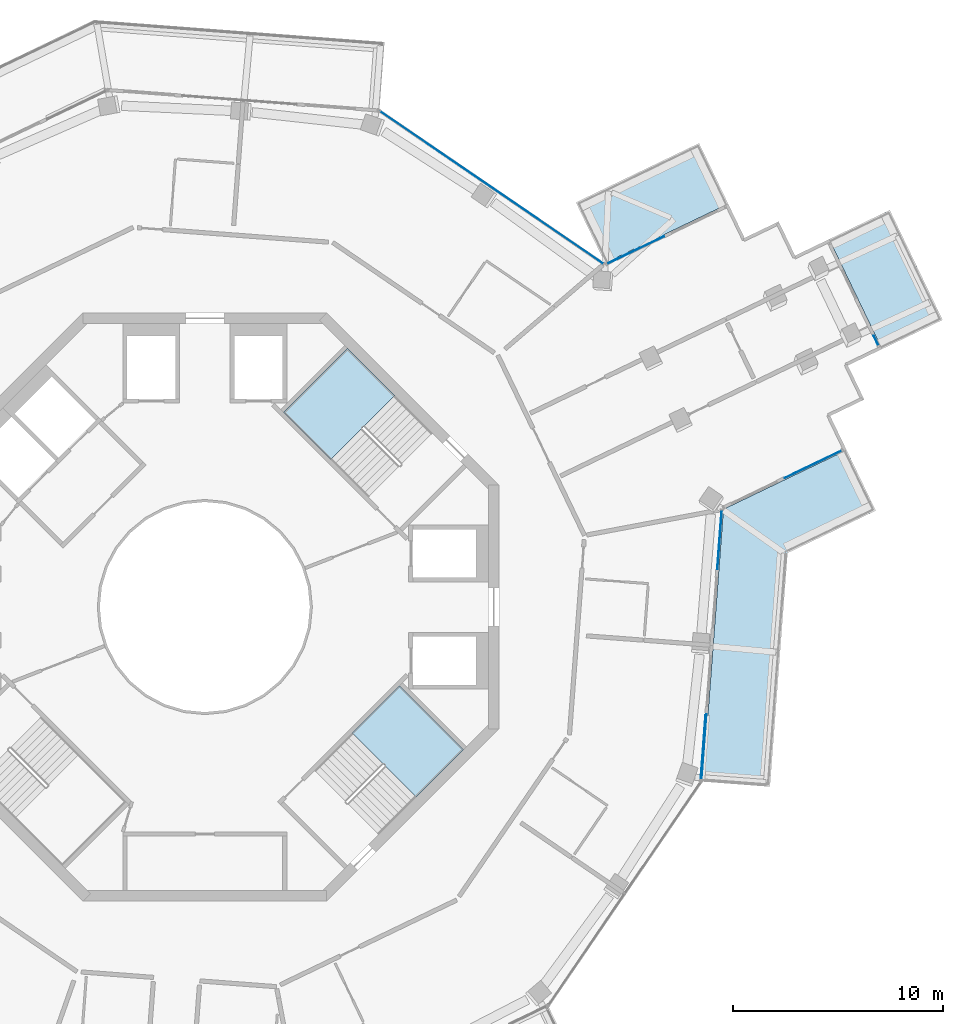
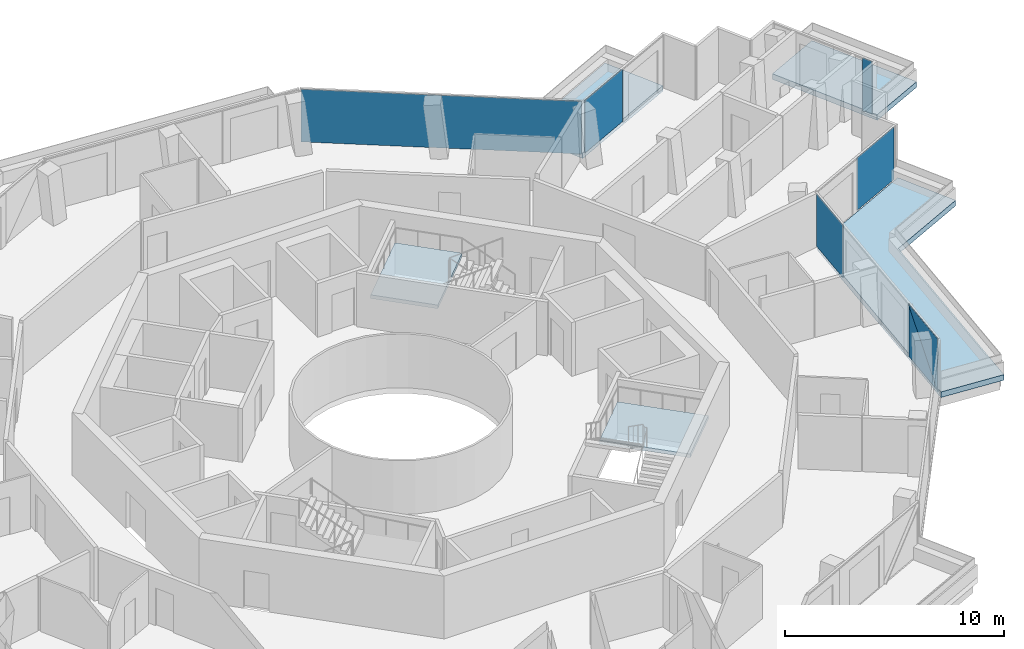
# One storey, part 14 of 23: 7 plates, 5 slabs, 7 elements without a shape of their own.
"""IFC4 building model written with IfcOpenShell, lengths in metres."""

from ifc_helpers import new_model, si_unit, direction, frame, origin, origin_2d, place, context, subcontext, project, spatial, polyline, rectangle, outline, extrude, material, layer, layer_set, type_object, element, aggregate, save


model = new_model("IFC4")

# Units and contexts
model_context = context("Model", 3, precision=1e-05, world=origin(), true_north=direction((0.0, 1.0)))
body_context = subcontext(model_context, "Body", "Model", "MODEL_VIEW")
ifc_project = project(units=[si_unit("LENGTHUNIT", "METRE"), si_unit("AREAUNIT", "SQUARE_METRE"), si_unit("VOLUMEUNIT", "CUBIC_METRE"), si_unit("PLANEANGLEUNIT", "RADIAN"), si_unit("MASSUNIT", "GRAM", prefix="KILO")], contexts=[model_context])

# Site, building, storey
site_placement = place(None, origin())
site = spatial("IfcSite", under=ifc_project, at=site_placement, CompositionType="ELEMENT")
building_placement = place(site_placement, origin())
building = spatial("IfcBuilding", under=site, at=building_placement, Name="Verdalira Terraces Hotel", CompositionType="ELEMENT")
storey_placement = place(building_placement, frame((0.0, 0.0, 259.5)))
storey = spatial("IfcBuildingStorey", under=building, at=storey_placement, Name="L64", CompositionType="ELEMENT", Elevation=259.5)

# Slabs
ifc_material_1 = material(Name="Precast concrete C40/50", Category="concrete")
ifc_layer_1 = layer(ifc_material_1, 0.31005859375)
ifc_layer_set_1 = layer_set([ifc_layer_1], Name="Balcony deck 310")
slab_type_1 = type_object("IfcSlabType", Name="Balcony deck 310", PredefinedType="FLOOR", material=ifc_layer_set_1)
slab_1_placement = place(storey_placement, frame((0.0, 0.0, -0.310059)))
element("IfcSlab", 1, at=slab_1_placement, inside=storey, type_object=slab_type_1, Name="Balcony deck", PredefinedType="FLOOR", context=body_context, shape_type="SweptSolid", body=[
    extrude(outline(polyline([(31.923584, 4.586914), (30.536865, 7.470947), (24.678955, 4.654297), (23.699707, -8.308838), (26.890625, -8.549805), (27.730713, 2.570801), (31.923584, 4.586914)])), origin(), (0.0, 0.0, 1.0), 0.310059),
])
slab_2_placement = place(storey_placement, frame((0.0, 0.0, -0.310059)))
element("IfcSlab", 2, at=slab_2_placement, inside=storey, type_object=slab_type_1, Name="Balcony deck", PredefinedType="FLOOR", context=body_context, shape_type="SweptSolid", body=[
    extrude(outline(polyline([(32.591797, 18.88916), (29.707764, 17.502441), (32.221191, 12.275391), (35.105225, 13.662109), (32.591797, 18.88916)])), origin(), (0.0, 0.0, 1.0), 0.310059),
])
slab_3_placement = place(storey_placement, frame((0.0, 0.0, -0.310059)))
element("IfcSlab", 3, at=slab_3_placement, inside=storey, type_object=slab_type_1, Name="Balcony deck", PredefinedType="FLOOR", context=body_context, shape_type="SweptSolid", body=[
    extrude(outline(polyline([(17.658936, 19.25415), (19.045654, 16.370117), (24.90332, 19.186768), (23.516602, 22.070801), (17.658936, 19.25415)])), origin(), (0.0, 0.0, 1.0), 0.310059),
])

# Curtain wall, plates
ifc_material_2 = material(Name="Clear glass", Category="glass")
ifc_layer_2 = layer(ifc_material_2, 0.14990234375)
ifc_layer_set_2 = layer_set([ifc_layer_2], Name="CW1 curtain wall")
curtain_wall_type_1 = type_object("IfcCurtainWallType", Name="CW1 curtain wall", PredefinedType="NOTDEFINED", material=ifc_layer_set_2)
curtain_wall_1_placement = place(storey_placement, origin())
curtain_wall_1 = element("IfcCurtainWall", 4, at=curtain_wall_1_placement, inside=storey, type_object=curtain_wall_type_1, Name="CW1 curtain wall L64 edge 27", PredefinedType="NOTDEFINED")
ifc_material_3 = material(Name="Clear glass", Category="glass")
ifc_layer_3 = layer(ifc_material_3, 0.028076171875)
ifc_layer_set_3 = layer_set([ifc_layer_3], Name="CW1 glass unit 28")
plate_type_1 = type_object("IfcPlateType", Name="CW1 glass unit 28", PredefinedType="CURTAIN_PANEL", material=ifc_layer_set_3)
plate_1_placement = place(storey_placement, frame((23.735352, -6.656738, 1.467529), z_axis=(0.9971589, -0.075326806, 0.0), x_axis=(0.075326806, 0.9971589, 0.0)))
plate_1 = element("IfcPlate", 5, at=plate_1_placement, type_object=plate_type_1, Name="CW1 glass unit", PredefinedType="CURTAIN_PANEL", context=body_context, shape_type="SweptSolid", body=[
    extrude(outline(polyline([(-1.549805, -1.467529), (1.549805, -1.467529), (1.549805, 1.467529), (-1.549805, -1.467529)])), origin(), (0.0, 0.0, 1.0), 0.028076),
])
plate_2_placement = place(storey_placement, frame((23.706299, -6.654541, 1.467529), z_axis=(0.9971589, -0.075326806, 0.0), x_axis=(0.075326806, 0.9971589, 0.0)))
plate_2 = element("IfcPlate", 6, at=plate_2_placement, type_object=plate_type_1, Name="CW1 glass unit", PredefinedType="CURTAIN_PANEL", context=body_context, shape_type="SweptSolid", body=[
    extrude(outline(polyline([(-1.549805, -1.467529), (1.549805, 1.467529), (-1.549805, 1.467529), (-1.549805, -1.467529)])), origin(), (0.0, 0.0, 1.0), 0.028076),
])
plate_3_placement = place(storey_placement, frame((24.494141, 3.203857, 0.0), z_axis=(0.0, 0.0, 1.0), x_axis=(0.075326806, 0.9971589, 0.0)))
plate_3 = element("IfcPlate", 7, at=plate_3_placement, type_object=plate_type_1, Name="CW1 glass unit", PredefinedType="CURTAIN_PANEL", context=body_context, shape_type="SweptSolid", body=[
    extrude(rectangle(XDim=2.800293, YDim=0.028076, at=origin_2d()), origin(), (0.0, 0.0, 1.0), 2.935059),
])
aggregate(curtain_wall_1, [plate_1, plate_2, plate_3])

# Curtain wall, plate
curtain_wall_2_placement = place(storey_placement, origin())
curtain_wall_2 = element("IfcCurtainWall", 8, at=curtain_wall_2_placement, inside=storey, type_object=curtain_wall_type_1, Name="CW1 curtain wall L64 edge 39", PredefinedType="NOTDEFINED")
plate_4_placement = place(storey_placement, frame((13.651611, 19.96167, 0.0), z_axis=(0.0, 0.0, 1.0), x_axis=(-0.825901536, 0.563814377, 0.0)))
plate_4 = element("IfcPlate", 9, at=plate_4_placement, type_object=plate_type_1, Name="CW1 glass unit", PredefinedType="CURTAIN_PANEL", context=body_context, shape_type="SweptSolid", body=[
    extrude(rectangle(XDim=12.839844, YDim=0.028076, at=origin_2d()), origin(), (0.0, 0.0, 1.0), 2.935059),
])
aggregate(curtain_wall_2, [plate_4])

ifc_material_4 = material(Name="Clear glass", Category="glass")
ifc_layer_4 = layer(ifc_material_4, 0.14990234375)
ifc_layer_set_4 = layer_set([ifc_layer_4], Name="CW2 curtain wall")
curtain_wall_type_2 = type_object("IfcCurtainWallType", Name="CW2 curtain wall", PredefinedType="NOTDEFINED", material=ifc_layer_set_4)
curtain_wall_3_placement = place(storey_placement, origin())
curtain_wall_3 = element("IfcCurtainWall", 10, at=curtain_wall_3_placement, inside=storey, type_object=curtain_wall_type_2, Name="CW2 curtain wall L64 edge 28", PredefinedType="NOTDEFINED")
ifc_material_5 = material(Name="Clear glass", Category="glass")
ifc_layer_5 = layer(ifc_material_5, 0.031982421875)
ifc_layer_set_5 = layer_set([ifc_layer_5], Name="CW2 glass unit 32")
plate_type_2 = type_object("IfcPlateType", Name="CW2 glass unit 32", PredefinedType="CURTAIN_PANEL", material=ifc_layer_set_5)
plate_5_placement = place(storey_placement, frame((28.949707, 6.791016, 0.0), z_axis=(0.0, 0.0, 1.0), x_axis=(0.901228342, 0.433344523, 0.0)))
plate_5 = element("IfcPlate", 11, at=plate_5_placement, type_object=plate_type_2, Name="CW2 glass unit", PredefinedType="CURTAIN_PANEL", context=body_context, shape_type="SweptSolid", body=[
    extrude(rectangle(XDim=3.009766, YDim=0.031982, at=origin_2d()), origin(), (0.0, 0.0, 1.0), 2.935059),
])
aggregate(curtain_wall_3, [plate_5])

curtain_wall_4_placement = place(storey_placement, origin())
curtain_wall_4 = element("IfcCurtainWall", 12, at=curtain_wall_4_placement, inside=storey, type_object=curtain_wall_type_2, Name="CW2 curtain wall L64 edge 38", PredefinedType="NOTDEFINED")
plate_6_placement = place(storey_placement, frame((20.497314, 16.985107, 0.0), z_axis=(0.0, 0.0, 1.0), x_axis=(-0.901228342, -0.433344523, 0.0)))
plate_6 = element("IfcPlate", 13, at=plate_6_placement, type_object=plate_type_2, Name="CW2 glass unit", PredefinedType="CURTAIN_PANEL", context=body_context, shape_type="SweptSolid", body=[
    extrude(rectangle(XDim=3.009766, YDim=0.031982, at=origin_2d()), origin(), (0.0, 0.0, 1.0), 2.935059),
])
aggregate(curtain_wall_4, [plate_6])

ifc_material_6 = material(Name="Clear glass", Category="glass")
ifc_layer_6 = layer(ifc_material_6, 0.14990234375)
ifc_layer_set_6 = layer_set([ifc_layer_6], Name="CW3 curtain wall")
curtain_wall_type_3 = type_object("IfcCurtainWallType", Name="CW3 curtain wall", PredefinedType="NOTDEFINED", material=ifc_layer_set_6)
curtain_wall_5_placement = place(storey_placement, origin())
curtain_wall_5 = element("IfcCurtainWall", 14, at=curtain_wall_5_placement, inside=storey, type_object=curtain_wall_type_3, Name="CW3 curtain wall L64 edge 33", PredefinedType="NOTDEFINED")
ifc_material_7 = material(Name="Clear glass", Category="glass")
ifc_layer_7 = layer(ifc_material_7, 0.035888671875)
ifc_layer_set_7 = layer_set([ifc_layer_7], Name="CW3 glass unit 36")
plate_type_3 = type_object("IfcPlateType", Name="CW3 glass unit 36", PredefinedType="CURTAIN_PANEL", material=ifc_layer_set_7)
plate_7_placement = place(storey_placement, frame((31.943359, 12.679932, 0.0), z_axis=(0.0, 0.0, 1.0), x_axis=(-0.433344523, 0.901228342, 0.0)))
plate_7 = element("IfcPlate", 15, at=plate_7_placement, type_object=plate_type_3, Name="CW3 glass unit", PredefinedType="CURTAIN_PANEL", context=body_context, shape_type="SweptSolid", body=[
    extrude(rectangle(XDim=0.51001, YDim=0.035889, at=origin_2d()), origin(), (0.0, 0.0, 1.0), 2.935059),
])
aggregate(curtain_wall_5, [plate_7])

# Stair, slab
ifc_material_8 = material(Name="Concrete C40", Category="concrete")
stair_type = type_object("IfcStairType", Name="Core stair 20 risers 2100 mm wide", PredefinedType="HALF_TURN_STAIR", material=ifc_material_8)
stair_1_placement = place(storey_placement, origin())
stair_1 = element("IfcStair", 16, at=stair_1_placement, inside=storey, type_object=stair_type, Name="L64 Exit stair ST1", PredefinedType="HALF_TURN_STAIR")
ifc_material_9 = material(Name="Concrete C40", Category="concrete")
ifc_layer_8 = layer(ifc_material_9, 0.199951171875)
ifc_layer_set_8 = layer_set([ifc_layer_8], Name="Core stair landing 200 mm")
slab_type_2 = type_object("IfcSlabType", Name="Core stair landing 200 mm", PredefinedType="LANDING", material=ifc_layer_set_8)
slab_4_placement = place(storey_placement, frame((0.0, 0.0, 1.550049)))
slab_4 = element("IfcSlab", 17, at=slab_4_placement, type_object=slab_type_2, Name="ST1 landing 1", PredefinedType="LANDING", context=body_context, shape_type="SweptSolid", body=[
    extrude(outline(polyline([(9.037109, 10.054688), (6.78833, 12.303711), (3.747559, 9.263184), (5.996582, 7.01416), (9.037109, 10.054688)])), origin(), (0.0, 0.0, 1.0), 0.199951),
])
aggregate(stair_1, [slab_4])

stair_2_placement = place(storey_placement, origin())
stair_2 = element("IfcStair", 18, at=stair_2_placement, inside=storey, type_object=stair_type, Name="L64 Exit stair ST3", PredefinedType="HALF_TURN_STAIR")
slab_5_placement = place(storey_placement, frame((0.0, 0.0, 1.550049)))
slab_5 = element("IfcSlab", 19, at=slab_5_placement, type_object=slab_type_2, Name="ST3 landing 1", PredefinedType="LANDING", context=body_context, shape_type="SweptSolid", body=[
    extrude(outline(polyline([(10.054688, -9.037109), (12.303711, -6.78833), (9.263184, -3.747559), (7.01416, -5.996582), (10.054688, -9.037109)])), origin(), (0.0, 0.0, 1.0), 0.199951),
])
aggregate(stair_2, [slab_5])

save(model, "model.ifc")
